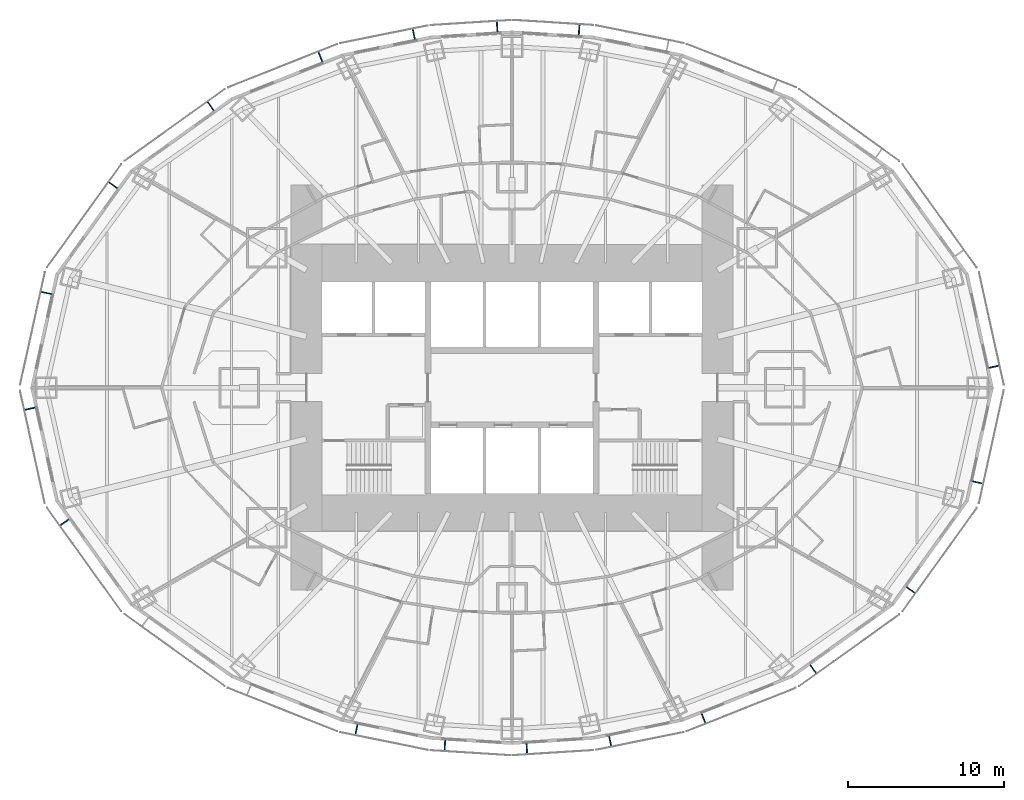
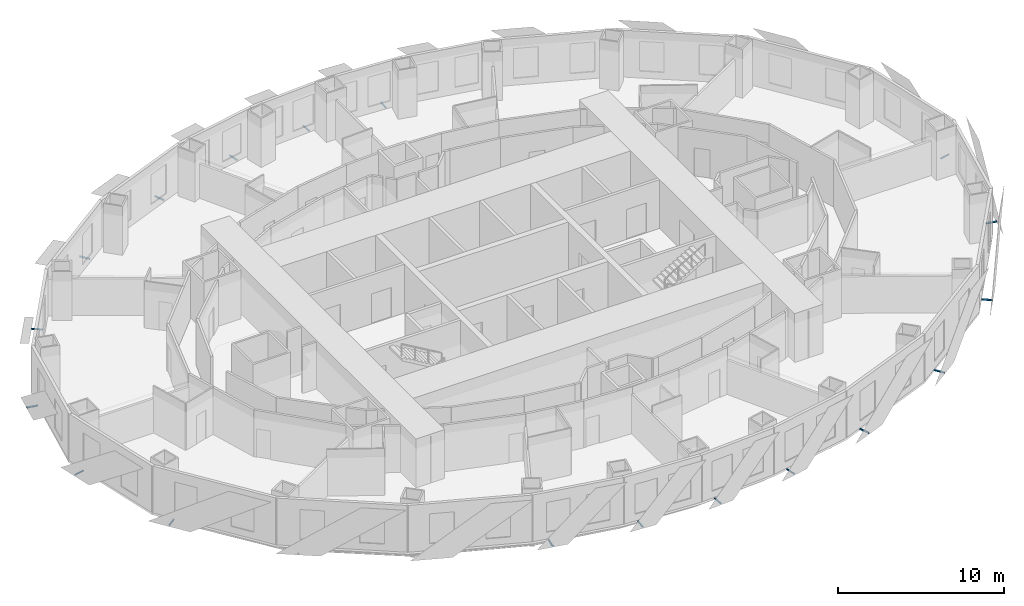
# One storey, part 11 of 15: 18 discrete accessories.
"""IFC4 building model written with IfcOpenShell, lengths in metres."""

from ifc_helpers import new_model, si_unit, direction, frame, origin, origin_2d, place, context, subcontext, project, spatial, rectangle, extrude, element, save


model = new_model("IFC4")

# Units and contexts
model_context = context("Model", 3, precision=1e-05, world=origin(), true_north=direction((0.0, 1.0)))
body_context = subcontext(model_context, "Body", "Model", "MODEL_VIEW")
ifc_project = project(units=[si_unit("LENGTHUNIT", "METRE"), si_unit("AREAUNIT", "SQUARE_METRE"), si_unit("VOLUMEUNIT", "CUBIC_METRE"), si_unit("PLANEANGLEUNIT", "RADIAN"), si_unit("MASSUNIT", "GRAM", prefix="KILO")], contexts=[model_context])

# Site, building, storey
site_placement = place(None, origin())
site = spatial("IfcSite", under=ifc_project, at=site_placement, CompositionType="ELEMENT")
building_placement = place(site_placement, origin())
building = spatial("IfcBuilding", under=site, at=building_placement, Name="Lantaw Convention Tower", CompositionType="ELEMENT")
storey_placement = place(building_placement, frame((0.0, 0.0, 83.800048828125)))
storey = spatial("IfcBuildingStorey", under=building, at=storey_placement, Name="L19", CompositionType="ELEMENT", Elevation=83.800048828125)

# Discrete accessories
for number, where, z_axis, x_axis, name in (
    (1, (30.967529296875, 1.35009765625, -0.114990234375), (0.0, 0.0, 1.0), (-0.215246056391, 0.976559847223, 0.0), "Screen bracket"),
    (2, (4.310302734375, 22.987548828125, -0.114990234375), (0.0, 0.0, 1.0), (-0.998016153807, 0.062958373078, 0.0), "Screen bracket"),
    (3, (-0.9560546875, 23.19921875, -0.114990234375), (0.0, 0.0, 1.0), (-0.998016153807, -0.062958373078, 0.0), "Screen bracket"),
    (4, (-6.307861328125, 22.71728515625, -0.114990234375), (0.0, 0.0, 1.0), (-0.980244604501, -0.197789067813, 0.0), "Screen bracket"),
    (5, (-12.309814453125, 21.25732421875, -0.114990234375), (0.0, 0.0, 1.0), (-0.929361152748, -0.369171840425, 0.0), "Screen bracket"),
    (6, (-19.352294921875, 18.085205078125, -0.114990234375), (0.0, 0.0, 1.0), (-0.812803733199, -0.5825376308, 0.0), "Screen bracket"),
    (7, (-25.61962890625, 13.004638671875, -0.114990234375), (0.0, 0.0, 1.0), (-0.583951250436, -0.811788726895, 0.0), "Screen bracket"),
    (8, (-29.92333984375, 6.087890625, -0.114990234375), (0.0, 0.0, 1.0), (-0.215246056391, -0.976559847223, 0.0), "Screen bracket"),
    (9, (-30.967529296875, -1.35009765625, -0.114990234375), (0.0, 0.0, 1.0), (0.215246056391, -0.976559847223, 0.0), "Screen bracket"),
    (10, (-28.745849609375, -8.65869140625, -0.114990234375), (0.0, 0.0, 1.0), (0.583951250436, -0.811788726895, 0.0), "Screen bracket"),
    (11, (-9.990478515625, -21.974365234375, -0.114990234375), (0.0, 0.0, 1.0), (0.980244604501, -0.197789067813, 0.0), "Screen bracket"),
    (12, (-4.310302734375, -22.987548828125, -0.114990234375), (0.0, 0.0, 1.0), (0.998016153807, -0.062958373078, 0.0), "Screen bracket"),
    (13, (0.9560546875, -23.19921875, -0.114990234375), (0.0, 0.0, 1.0), (0.998016153807, 0.062958373078, 0.0), "Screen bracket"),
    (14, (6.307861328125, -22.71728515625, -0.114990234375), (0.0, 0.0, 1.0), (0.980244604501, 0.197789067813, 0.0), "Screen bracket"),
    (15, (12.309814453125, -21.25732421875, -0.114990234375), (0.0, 0.0, 1.0), (0.929361152748, 0.369171840425, 0.0), "Screen bracket"),
    (16, (19.352294921875, -18.085205078125, -0.114990234375), (0.0, 0.0, 1.0), (0.812803733199, 0.5825376308, 0.0), "Screen bracket"),
    (17, (25.61962890625, -13.004638671875, -0.114990234375), (0.0, 0.0, 1.0), (0.583951250436, 0.811788726895, 0.0), "Screen bracket"),
    (18, (29.92333984375, -6.087890625, -0.114990234375), (0.0, 0.0, 1.0), (0.215246056391, 0.976559847223, 0.0), "Screen bracket"),
):
    element("IfcDiscreteAccessory", number, at=place(storey_placement, frame(where, z_axis=z_axis, x_axis=x_axis)), inside=storey, Name=name, PredefinedType="BRACKET", context=body_context, shape_type="SweptSolid", body=[
        extrude(rectangle(XDim=0.080078125, YDim=0.68798828125, at=origin_2d()), origin(), (0.0, 0.0, 1.0), 0.080078125),
    ])

save(model, "model.ifc")
